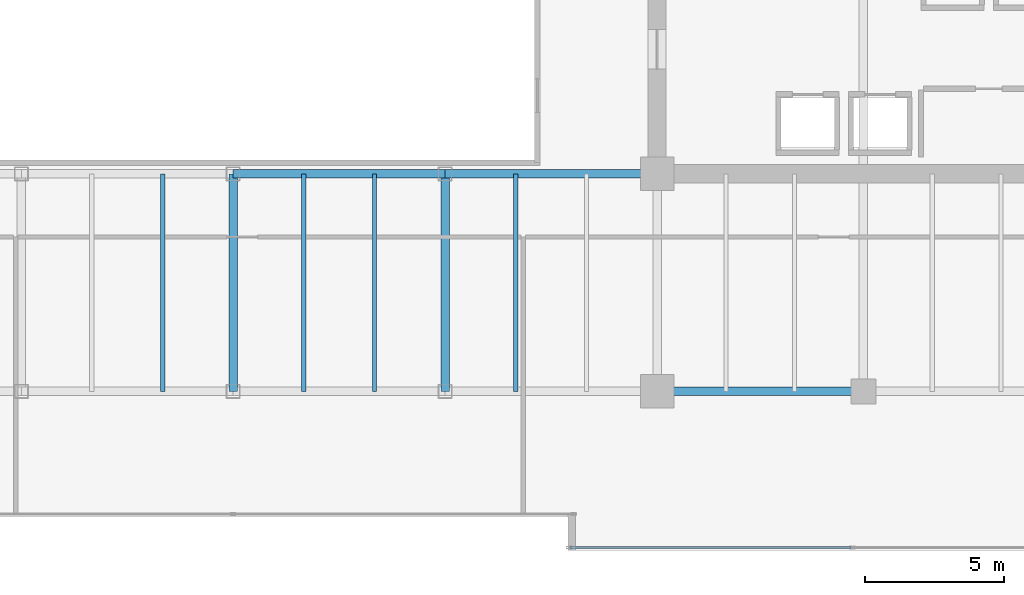
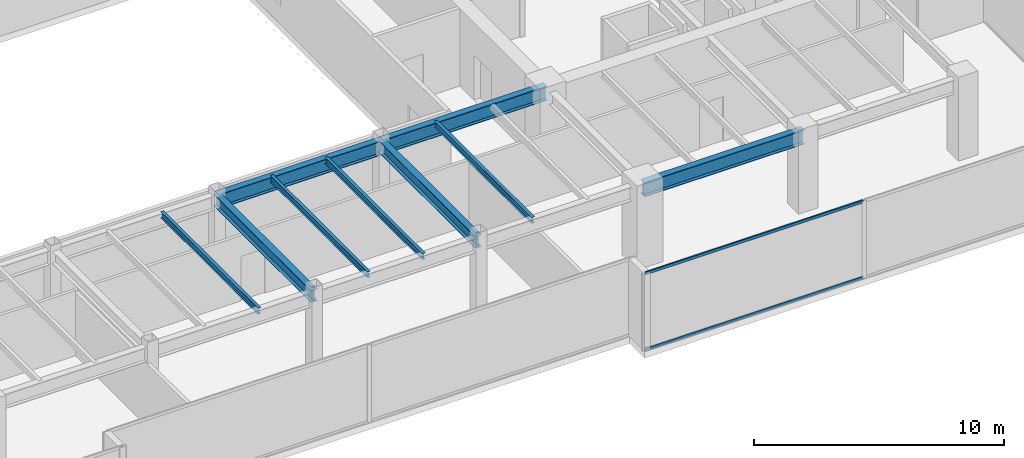
# One storey, part 11 of 31: 9 beams, 2 members, 1 element without a shape of its own.
"""IFC4 building model written with IfcOpenShell, lengths in metres."""

from ifc_helpers import new_model, si_unit, direction, frame, origin, origin_2d, place, context, subcontext, project, spatial, hollow_rectangle, i_section, extrude, source, transform, mapped, material, layer, layer_set, material_profile, profile_set, type_object, type_shapes, element, aggregate, save


model = new_model("IFC4")

# Units and contexts
model_context = context("Model", 3, precision=1e-05, world=origin(), true_north=direction((0.0, 1.0)))
body_context = subcontext(model_context, "Body", "Model", "MODEL_VIEW")
ifc_project = project(units=[si_unit("LENGTHUNIT", "METRE"), si_unit("AREAUNIT", "SQUARE_METRE"), si_unit("VOLUMEUNIT", "CUBIC_METRE"), si_unit("PLANEANGLEUNIT", "RADIAN"), si_unit("MASSUNIT", "GRAM", prefix="KILO")], contexts=[model_context])

# Site, building, storey
site_placement = place(None, origin())
site = spatial("IfcSite", under=ifc_project, at=site_placement, CompositionType="ELEMENT")
building_placement = place(site_placement, origin())
building = spatial("IfcBuilding", under=site, at=building_placement, Name="Haelvirn Gate Laboratories", CompositionType="ELEMENT")
storey_placement = place(building_placement, frame((0.0, 0.0, 154.300048828125)))
storey = spatial("IfcBuildingStorey", under=building, at=storey_placement, Name="L37", CompositionType="ELEMENT", Elevation=154.300048828125)

# Beams
ifc_material_1 = material(Name="Steel SM355", Category="steel")
ifc_material_profile_1 = material_profile(ifc_material_1, i_section(OverallWidth=0.300048828125, OverallDepth=0.699951171875, WebThickness=0.012939453125, FlangeThickness=0.02392578125, at=origin_2d()), Name="H-700x300x13x24")
ifc_profile_set_1 = profile_set([ifc_material_profile_1], Name="Steel SM355")
beam_type_1 = type_object("IfcBeamType", Name="BM-G-700", PredefinedType="BEAM", material=ifc_profile_set_1)
shared_shape_1 = source(origin(), body_context, "Body", "SweptSolid", [
    extrude(i_section(OverallWidth=0.300048828125, OverallDepth=0.699951171875, WebThickness=0.012939453125, FlangeThickness=0.02392578125, at=origin_2d()), origin(), (0.0, 0.0, 1.0), 7.39990234375),
])
beam_placement = place(storey_placement, frame((52.60009765625, 7.0, 3.43994140625), z_axis=(1.0, 0.0, 0.0), x_axis=(0.0, 1.0, 0.0)))
element("IfcBeam", 1, at=beam_placement, inside=storey, type_object=beam_type_1, Name="L37 Primary Girder Y7.0 (52.6-60.0)", PredefinedType="BEAM", context=body_context, shape_type="MappedRepresentation", body=[
    mapped(shared_shape_1, transform((0.0, 0.0, 0.0), scale=1.0)),
])
shared_shape_2 = source(origin(), body_context, "Body", "SweptSolid", [
    extrude(i_section(OverallWidth=0.300048828125, OverallDepth=0.699951171875, WebThickness=0.012939453125, FlangeThickness=0.02392578125, at=origin_2d()), origin(), (0.0, 0.0, 1.0), 7.60009765625),
])
type_shapes(beam_type_1, [shared_shape_1, shared_shape_2])
for number, where, z_axis, x_axis, name in (
    (2, (37.39990234375, 14.800048828125, 3.43994140625), (1.0, 0.0, 0.0), (0.0, 1.0, 0.0), "L37 Primary Girder Y14.8 (37.4-45.0)"),
    (3, (45.0, 14.800048828125, 3.43994140625), (1.0, 0.0, 0.0), (0.0, 1.0, 0.0), "L37 Primary Girder Y14.8 (45.0-52.6)"),
):
    element("IfcBeam", number, at=place(storey_placement, frame(where, z_axis=z_axis, x_axis=x_axis)), inside=storey, type_object=beam_type_1, Name=name, PredefinedType="BEAM", context=body_context, shape_type="MappedRepresentation", body=[
        mapped(shared_shape_2, transform((0.0, 0.0, 0.0), scale=1.0)),
    ])
ifc_material_profile_2 = material_profile(ifc_material_1, i_section(OverallWidth=0.14990234375, OverallDepth=0.300048828125, WebThickness=0.006591796875, FlangeThickness=0.009033203125, at=origin_2d()), Name="H-300x150x6.5x9")
ifc_profile_set_2 = profile_set([ifc_material_profile_2], Name="Steel SM355")
beam_type_2 = type_object("IfcBeamType", Name="BM-J-300", PredefinedType="JOIST", material=ifc_profile_set_2)
shared_shape_3 = source(origin(), body_context, "Body", "SweptSolid", [
    extrude(i_section(OverallWidth=0.14990234375, OverallDepth=0.300048828125, WebThickness=0.006591796875, FlangeThickness=0.009033203125, at=origin_2d()), origin(), (0.0, 0.0, 1.0), 7.800048828125),
])
type_shapes(beam_type_2, [shared_shape_3])
for number, where, z_axis, x_axis, name in (
    (4, (34.8701171875, 7.0, 3.639892578125), (0.0, 1.0, 0.0), (-1.0, 0.0, 0.0), "L37 Composite Lab Joist South X34.87"),
    (5, (39.929931640625, 7.0, 3.639892578125), (0.0, 1.0, 0.0), (-1.0, 0.0, 0.0), "L37 Composite Lab Joist South X39.93"),
    (6, (42.469970703125, 7.0, 3.639892578125), (0.0, 1.0, 0.0), (-1.0, 0.0, 0.0), "L37 Composite Lab Joist South X42.47"),
    (7, (47.530029296875, 7.0, 3.639892578125), (0.0, 1.0, 0.0), (-1.0, 0.0, 0.0), "L37 Composite Lab Joist South X47.53"),
):
    element("IfcBeam", number, at=place(storey_placement, frame(where, z_axis=z_axis, x_axis=x_axis)), inside=storey, type_object=beam_type_2, Name=name, PredefinedType="JOIST", context=body_context, shape_type="MappedRepresentation", body=[
        mapped(shared_shape_3, transform((0.0, 0.0, 0.0), scale=1.0)),
    ])
ifc_material_profile_3 = material_profile(ifc_material_1, i_section(OverallWidth=0.300048828125, OverallDepth=0.587890625, WebThickness=0.011962890625, FlangeThickness=0.02001953125, at=origin_2d()), Name="H-588x300x12x20")
ifc_profile_set_3 = profile_set([ifc_material_profile_3], Name="Steel SM355")
beam_type_3 = type_object("IfcBeamType", Name="BM-G-588", PredefinedType="BEAM", material=ifc_profile_set_3)
shared_shape_4 = source(origin(), body_context, "Body", "SweptSolid", [
    extrude(i_section(OverallWidth=0.300048828125, OverallDepth=0.587890625, WebThickness=0.011962890625, FlangeThickness=0.02001953125, at=origin_2d()), origin(), (0.0, 0.0, 1.0), 7.800048828125),
])
type_shapes(beam_type_3, [shared_shape_4])
for number, where, z_axis, x_axis, name in (
    (8, (37.39990234375, 7.0, 3.495849609375), (0.0, 1.0, 0.0), (-1.0, 0.0, 0.0), "L37 Frame Girder X37.4 (7.0-14.8)"),
    (9, (45.0, 7.0, 3.495849609375), (0.0, 1.0, 0.0), (-1.0, 0.0, 0.0), "L37 Frame Girder X45.0 (7.0-14.8)"),
):
    element("IfcBeam", number, at=place(storey_placement, frame(where, z_axis=z_axis, x_axis=x_axis)), inside=storey, type_object=beam_type_3, Name=name, PredefinedType="BEAM", context=body_context, shape_type="MappedRepresentation", body=[
        mapped(shared_shape_4, transform((0.0, 0.0, 0.0), scale=1.0)),
    ])

# Curtain wall, members
ifc_material_2 = material(Name="Anodised bronze unitised aluminium & triple low-E glass", Category="aluminium")
ifc_layer = layer(ifc_material_2, 0.179931640625, Name="CW-SYS-3")
ifc_layer_set = layer_set([ifc_layer], Name="Anodised bronze unitised aluminium & triple low-E glass")
curtain_wall_type = type_object("IfcCurtainWallType", Name="CW-SYS-3", PredefinedType="NOTDEFINED", material=ifc_layer_set)
curtain_wall_placement = place(storey_placement, origin())
curtain_wall = element("IfcCurtainWall", 10, at=curtain_wall_placement, inside=storey, type_object=curtain_wall_type, Name="L37 Unitised Curtain Wall CW-L37-P0-E04-1", PredefinedType="NOTDEFINED")
ifc_material_3 = material(Name="Extruded aluminium 6063-T6 (anodised bronze)", Category="aluminium")
ifc_material_profile_4 = material_profile(ifc_material_3, hollow_rectangle(XDim=0.06494140625, YDim=0.139892578125, WallThickness=0.00390625, at=origin_2d()), Name="CWT-140x65x4")
ifc_profile_set_4 = profile_set([ifc_material_profile_4], Name="Extruded aluminium 6063-T6 (anodised bronze)")
member_type = type_object("IfcMemberType", Name="CWT-T140", PredefinedType="USERDEFINED", material=ifc_profile_set_4)
shared_shape_5 = source(origin(), body_context, "Body", "SweptSolid", [
    extrude(hollow_rectangle(XDim=0.06494140625, YDim=0.139892578125, WallThickness=0.00390625, at=origin_2d()), origin(), (0.0, 0.0, 1.0), 10.08740234375),
])
type_shapes(member_type, [shared_shape_5])
member_1_placement = place(storey_placement, frame((49.47509765625, 1.39990234375, 0.032470703125), z_axis=(1.0, 0.0, 0.0), x_axis=(0.0, 1.0, 0.0)))
member_1 = element("IfcMember", 11, at=member_1_placement, type_object=member_type, Name="CW3 transom 1.1", ObjectType="TRANSOM", PredefinedType="USERDEFINED", context=body_context, shape_type="MappedRepresentation", body=[
    mapped(shared_shape_5, transform((0.0, 0.0, 0.0), scale=1.0)),
])
member_2_placement = place(storey_placement, frame((49.47509765625, 1.39990234375, 3.757568359375), z_axis=(1.0, 0.0, 0.0), x_axis=(0.0, 1.0, 0.0)))
member_2 = element("IfcMember", 12, at=member_2_placement, type_object=member_type, Name="CW3 transom 1.2", ObjectType="TRANSOM", PredefinedType="USERDEFINED", context=body_context, shape_type="MappedRepresentation", body=[
    mapped(shared_shape_5, transform((0.0, 0.0, 0.0), scale=1.0)),
])
aggregate(curtain_wall, [member_1, member_2])

save(model, "model.ifc")
